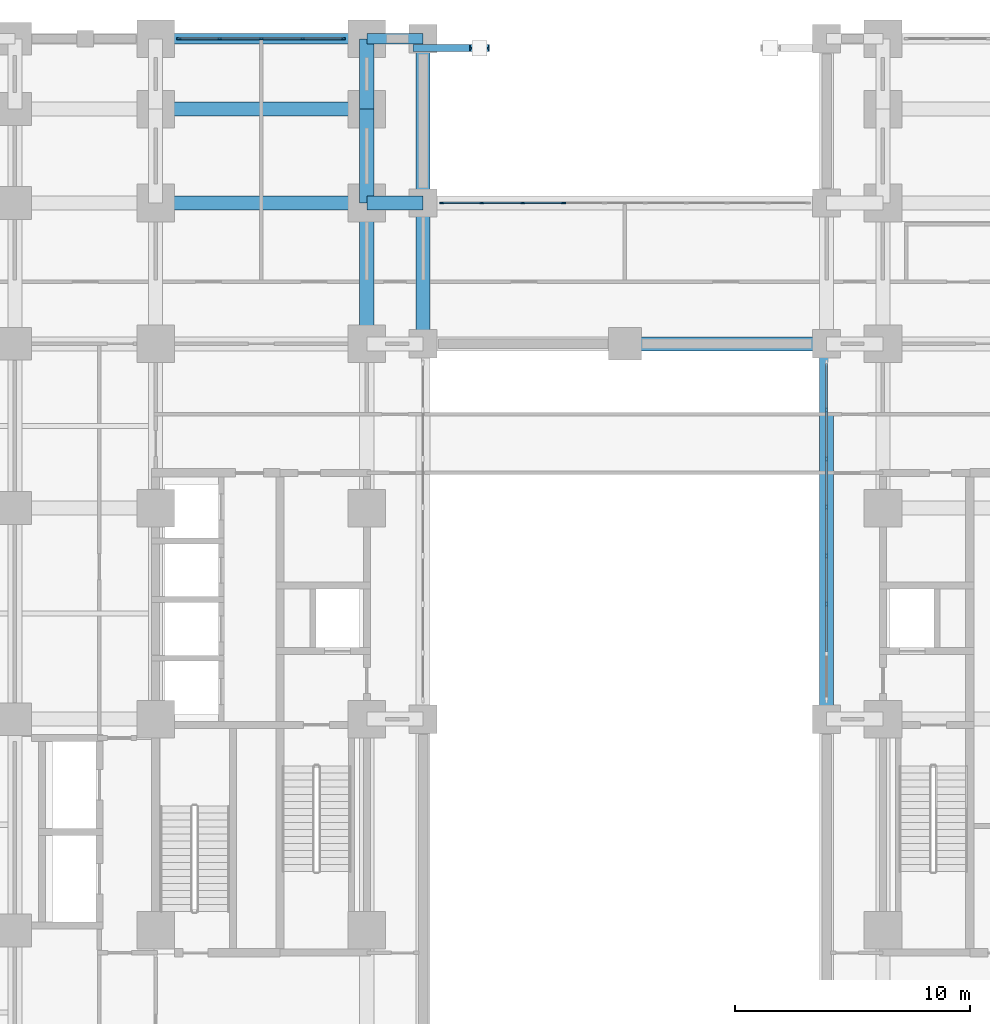
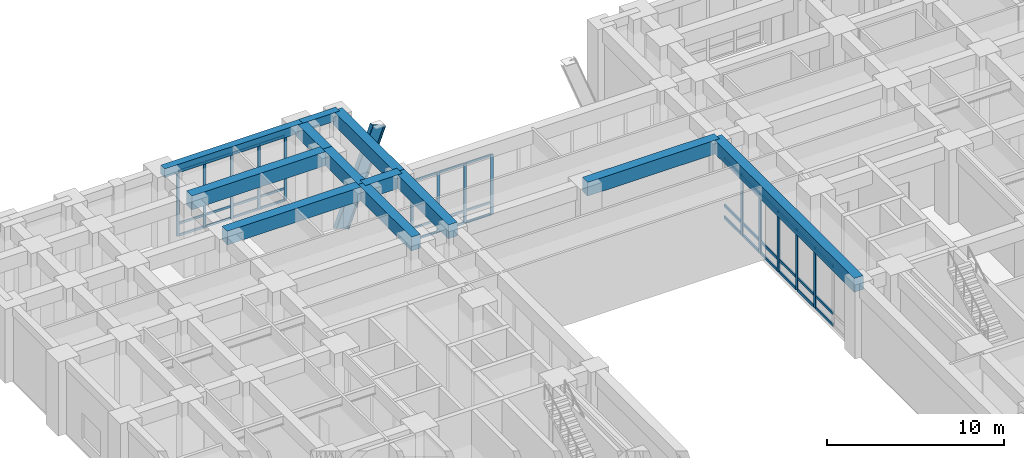
# One storey, part 5 of 23: 54 members, 12 beams, 3 elements without a shape of their own.
"""IFC4 building model written with IfcOpenShell, lengths in metres."""

import ifcopenshell
import ifcopenshell.guid

model = None  # the IFC model being written
_history = None  # IfcOwnerHistory: only IFC2X3 demands one
_inside = {}  # id of a spatial element -> (the spatial element, [elements in it])
_under = {}  # id of a project, library or spatial element -> (it, [spatial elements below it])
_declared = {}  # id of a project -> (the project, [libraries it declares])
_typed = {}  # id of a type object -> (the type object, [elements of that type])
_made_of = {}  # id of a material, layer set ... -> (it, [elements and type objects made of it])


def new_model(schema):
    """Start an empty IFC model of exactly this schema.

    Asked for "IFC4X3", IfcOpenShell would pick the latest addendum, in which some entities
    have other attributes; the version numbers below select the first issue.
    IFC2X3 requires an IfcOwnerHistory on every rooted entity: one is made here for all.
    """
    global model, _history
    if schema == "IFC4X3":
        model = ifcopenshell.file(schema_version=(4, 3, 0, 0))
    else:
        model = ifcopenshell.file(schema=schema)
    _inside.clear()
    _under.clear()
    _declared.clear()
    _typed.clear()
    _made_of.clear()
    _history = None
    if model.schema == "IFC2X3":
        org = make("IfcOrganization", Name="unknown")
        user = make(
            "IfcPersonAndOrganization",
            ThePerson=make("IfcPerson", FamilyName="unknown"),
            TheOrganization=org,
        )
        app = make(
            "IfcApplication",
            ApplicationDeveloper=org,
            Version="unknown",
            ApplicationFullName="unknown",
            ApplicationIdentifier="unknown",
        )
        _history = make(
            "IfcOwnerHistory",
            OwningUser=user,
            OwningApplication=app,
            ChangeAction="ADDED",
            CreationDate=0,
        )
    return model


def make(cls, **values):
    """One entity of the class cls with the attributes given. An attribute that is None is left unset."""
    return model.create_entity(
        cls, **{name: value for name, value in values.items() if value is not None}
    )


def rooted(cls, **values):
    """An entity with a GlobalId (a new one), such as an element, a storey or a relation."""
    return make(cls, GlobalId=ifcopenshell.guid.new(), OwnerHistory=_history, **values)


def si_unit(unit_type, name, prefix=None):
    """IfcSIUnit, for example si_unit("LENGTHUNIT", "METRE", prefix="MILLI")."""
    return make("IfcSIUnit", UnitType=unit_type, Prefix=prefix, Name=name)


def assignment(units):
    """IfcUnitAssignment: the units of a project."""
    return None if units is None else make("IfcUnitAssignment", Units=units)


def point(xyz):
    """IfcCartesianPoint."""
    return None if xyz is None else make("IfcCartesianPoint", Coordinates=xyz)


def direction(xyz):
    """IfcDirection."""
    return None if xyz is None else make("IfcDirection", DirectionRatios=xyz)


def frame(location, z_axis=None, x_axis=None):
    """IfcAxis2Placement3D, a coordinate frame: its origin and axes. An axis left out is left unset."""
    return make(
        "IfcAxis2Placement3D",
        Location=point(location),
        Axis=direction(z_axis),
        RefDirection=direction(x_axis),
    )


def frame_2d(location, x_axis=None):
    """IfcAxis2Placement2D, a coordinate frame in the plane: its origin and x axis."""
    return make(
        "IfcAxis2Placement2D", Location=point(location), RefDirection=direction(x_axis)
    )


def origin():
    """The frame at (0, 0, 0) with its axes left unset."""
    return frame((0.0, 0.0, 0.0))


def origin_2d():
    """The frame at (0, 0) in the plane with its x axis left unset."""
    return frame_2d((0.0, 0.0))


def place(relative_to, where):
    """IfcLocalPlacement: puts the frame where relative to a parent placement (None: the world)."""
    return make(
        "IfcLocalPlacement", PlacementRelTo=relative_to, RelativePlacement=where
    )


def context(
    kind, dimensions, precision=None, world=None, true_north=None, identifier=None
):
    """IfcGeometricRepresentationContext, for example the 3D "Model" context."""
    return make(
        "IfcGeometricRepresentationContext",
        ContextIdentifier=identifier,
        ContextType=kind,
        CoordinateSpaceDimension=dimensions,
        Precision=precision,
        WorldCoordinateSystem=world,
        TrueNorth=true_north,
    )


def subcontext(parent, identifier, kind, view, scale=None):
    """IfcGeometricRepresentationSubContext, for example "Body" below "Model"."""
    return make(
        "IfcGeometricRepresentationSubContext",
        ContextIdentifier=identifier,
        ContextType=kind,
        ParentContext=parent,
        TargetScale=scale,
        TargetView=view,
    )


def project(units=None, contexts=None):
    """IfcProject with its units and contexts."""
    return rooted(
        "IfcProject",
        Name="project",
        RepresentationContexts=contexts,
        UnitsInContext=assignment(units),
    )


def spatial(cls, under=None, at=None, **own):
    """A site, building, storey or space (cls), placed at a placement, below another one or the project."""
    s = rooted(cls, ObjectPlacement=at, **own)
    if under is not None:
        _under.setdefault(under.id(), (under, []))[1].append(s)
    return s


def profile(cls, at=None, kind="AREA", **sizes):
    """A parametric profile (cls). Its sizes go by their IFC names, for example OverallWidth=200.0."""
    return make(cls, ProfileType=kind, Position=at, **sizes)


def rectangle(**sizes):
    """IfcRectangleProfileDef."""
    return profile("IfcRectangleProfileDef", **sizes)


def i_section(**sizes):
    """IfcIShapeProfileDef."""
    return profile("IfcIShapeProfileDef", **sizes)


def extrude(swept, where, along, depth):
    """IfcExtrudedAreaSolid: the profile swept, set in the frame where, extruded along a direction by depth."""
    return make(
        "IfcExtrudedAreaSolid",
        SweptArea=swept,
        Position=where,
        ExtrudedDirection=direction(along),
        Depth=depth,
    )


def shape(context_of_items, identifier, shape_type, items):
    """IfcShapeRepresentation: the items that make up one representation, for example the "Body"."""
    return make(
        "IfcShapeRepresentation",
        ContextOfItems=context_of_items,
        RepresentationIdentifier=identifier,
        RepresentationType=shape_type,
        Items=items,
    )


def material(Name=None, Category=None):
    """IfcMaterial."""
    return make("IfcMaterial", Name=Name, Category=Category)


def material_profile(
    of_material, cross_section, Name=None, Category=None, Priority=None
):
    """IfcMaterialProfile: a cross section and its material."""
    return make(
        "IfcMaterialProfile",
        Name=Name,
        Material=of_material,
        Profile=cross_section,
        Priority=Priority,
        Category=Category,
    )


def profile_set(profiles, Name=None, composite=None):
    """IfcMaterialProfileSet."""
    return make(
        "IfcMaterialProfileSet",
        Name=Name,
        MaterialProfiles=profiles,
        CompositeProfile=composite,
    )


def made_of(thing, what):
    """Note that an element or type object is made of a material, layer set ...; save() writes the relation."""
    if what is not None:
        _made_of.setdefault(what.id(), (what, []))[1].append(thing)
    return thing


def type_object(cls, material=None, **own):
    """A type object (cls), such as IfcWallType, which elements share."""
    return made_of(rooted(cls, **own), material)


def element(
    cls,
    number,
    at=None,
    inside=None,
    cuts=None,
    type_object=None,
    material=None,
    context=None,
    identifier="Body",
    shape_type=None,
    held_by="IfcProductDefinitionShape",
    body=None,
    shapes=None,
    **own,
):
    """One element of the class cls, such as IfcWall. Its Tag is "e" and its number.

    at: its placement. inside: the storey or other place that contains it. cuts: it is an
    opening in that element (IfcRelVoidsElement). A single representation is given by context,
    identifier, shape_type and body (its items); several are given by shapes. held_by: the class
    of the entity that holds the representations. save() writes the other relations.
    """
    e = rooted(cls, Tag="e%d" % number, ObjectPlacement=at, **own)
    if body is not None:
        shapes = [shape(context, identifier, shape_type, body)]
    if shapes is not None:
        e.Representation = make(held_by, Representations=shapes)
    if inside is not None:
        _inside.setdefault(inside.id(), (inside, []))[1].append(e)
    if cuts is not None:
        rooted(
            "IfcRelVoidsElement", RelatingBuildingElement=cuts, RelatedOpeningElement=e
        )
    if type_object is not None:
        _typed.setdefault(type_object.id(), (type_object, []))[1].append(e)
    return made_of(e, material)


def aggregate(whole, parts):
    """IfcRelAggregates: a whole, such as a stair, and the parts it consists of."""
    return rooted("IfcRelAggregates", RelatingObject=whole, RelatedObjects=parts)


def save(model, path):
    """Write the relations noted so far, then the file.

    IfcRelAggregates (storeys below a building ...), IfcRelContainedInSpatialStructure (elements
    in a storey), IfcRelDefinesByType, IfcRelAssociatesMaterial and IfcRelDeclares: one each for
    every whole, place, type object, material and project.
    """
    for whole, parts in _under.values():
        aggregate(whole, parts)
    for where, things in _inside.values():
        rooted(
            "IfcRelContainedInSpatialStructure",
            RelatedElements=things,
            RelatingStructure=where,
        )
    for kind, things in _typed.values():
        rooted("IfcRelDefinesByType", RelatedObjects=things, RelatingType=kind)
    for what, things in _made_of.values():
        rooted("IfcRelAssociatesMaterial", RelatedObjects=things, RelatingMaterial=what)
    for by, libraries in _declared.values():
        rooted("IfcRelDeclares", RelatingContext=by, RelatedDefinitions=libraries)
    model.write(path)


model = new_model("IFC4")

# Units and contexts
model_context = context("Model", 3, precision=1e-05, world=origin(), true_north=direction((0.0, 1.0)))
body_context = subcontext(model_context, "Body", "Model", "MODEL_VIEW")
ifc_project = project(units=[si_unit("LENGTHUNIT", "METRE"), si_unit("AREAUNIT", "SQUARE_METRE"), si_unit("VOLUMEUNIT", "CUBIC_METRE"), si_unit("PLANEANGLEUNIT", "RADIAN"), si_unit("MASSUNIT", "GRAM", prefix="KILO")], contexts=[model_context])

# Site, building, storey
site_placement = place(None, origin())
site = spatial("IfcSite", under=ifc_project, at=site_placement, CompositionType="ELEMENT")
building_placement = place(site_placement, origin())
building = spatial("IfcBuilding", under=site, at=building_placement, Name="Zulmaris Gate Convention Tower", CompositionType="ELEMENT")
storey_placement = place(building_placement, frame((0.0, 0.0, 10.8798828125)))
storey = spatial("IfcBuildingStorey", under=building, at=storey_placement, Name="L02", CompositionType="ELEMENT", Elevation=10.8798828125)

# Beams
ifc_material_1 = material(Name="Concrete C60/75", Category="concrete")
ifc_material_profile_1 = material_profile(ifc_material_1, rectangle(XDim=0.60009765625, YDim=0.949951171875, at=origin_2d()), Name="RC BEAM 600x950")
ifc_profile_set_1 = profile_set([ifc_material_profile_1], Name="Concrete C60/75")
beam_type_1 = type_object("IfcBeamType", Name="BM-RC600x950", PredefinedType="BEAM", material=ifc_profile_set_1)
beam_1_placement = place(storey_placement, frame((0.0, 16.0, 4.615234375), z_axis=(1.0, 0.0, 0.0), x_axis=(0.0, 1.0, 0.0)))
element("IfcBeam", 1, at=beam_1_placement, inside=storey, type_object=beam_type_1, Name="L02 Beam BM-L02-X-+16.0-+0.0", PredefinedType="BEAM", context=body_context, shape_type="SweptSolid", body=[
    extrude(rectangle(XDim=0.60009765625, YDim=0.949951171875, at=origin_2d()), origin(), (0.0, 0.0, 1.0), 8.60009765625),
])
beam_2_placement = place(storey_placement, frame((-20.0, 22.0, 4.615234375), z_axis=(1.0, 0.0, 0.0), x_axis=(0.0, 1.0, 0.0)))
element("IfcBeam", 2, at=beam_2_placement, inside=storey, type_object=beam_type_1, Name="L02 Beam BM-L02-X-+22.0--20.0", PredefinedType="BEAM", context=body_context, shape_type="SweptSolid", body=[
    extrude(rectangle(XDim=0.60009765625, YDim=0.949951171875, at=origin_2d()), origin(), (0.0, 0.0, 1.0), 9.0),
])
beam_3_placement = place(storey_placement, frame((-11.0, 22.0, 4.615234375), z_axis=(1.0, 0.0, 0.0), x_axis=(0.0, 1.0, 0.0)))
element("IfcBeam", 3, at=beam_3_placement, inside=storey, type_object=beam_type_1, Name="L02 Beam BM-L02-X-+22.0--11.0", PredefinedType="BEAM", context=body_context, shape_type="SweptSolid", body=[
    extrude(rectangle(XDim=0.60009765625, YDim=0.949951171875, at=origin_2d()), origin(), (0.0, 0.0, 1.0), 2.39990234375),
])
beam_4_placement = place(storey_placement, frame((-20.0, 26.0, 4.615234375), z_axis=(1.0, 0.0, 0.0), x_axis=(0.0, 1.0, 0.0)))
element("IfcBeam", 4, at=beam_4_placement, inside=storey, type_object=beam_type_1, Name="L02 Beam BM-L02-X-+26.0--20.0", PredefinedType="BEAM", context=body_context, shape_type="SweptSolid", body=[
    extrude(rectangle(XDim=0.60009765625, YDim=0.949951171875, at=origin_2d()), origin(), (0.0, 0.0, 1.0), 9.0),
])
beam_5_placement = place(storey_placement, frame((-11.0, 16.0, 4.615234375), z_axis=(0.0, 1.0, 0.0), x_axis=(-1.0, 0.0, 0.0)))
element("IfcBeam", 5, at=beam_5_placement, inside=storey, type_object=beam_type_1, Name="L02 Beam BM-L02-Y--11.0-+16.0", PredefinedType="BEAM", context=body_context, shape_type="SweptSolid", body=[
    extrude(rectangle(XDim=0.60009765625, YDim=0.949951171875, at=origin_2d()), origin(), (0.0, 0.0, 1.0), 6.0),
])
beam_6_placement = place(storey_placement, frame((-11.0, 22.0, 4.615234375), z_axis=(0.0, 1.0, 0.0), x_axis=(-1.0, 0.0, 0.0)))
element("IfcBeam", 6, at=beam_6_placement, inside=storey, type_object=beam_type_1, Name="L02 Beam BM-L02-Y--11.0-+22.0", PredefinedType="BEAM", context=body_context, shape_type="SweptSolid", body=[
    extrude(rectangle(XDim=0.60009765625, YDim=0.949951171875, at=origin_2d()), origin(), (0.0, 0.0, 1.0), 4.0),
])
beam_7_placement = place(storey_placement, frame((-11.0, 26.0, 4.615234375), z_axis=(0.0, 1.0, 0.0), x_axis=(-1.0, 0.0, 0.0)))
element("IfcBeam", 7, at=beam_7_placement, inside=storey, type_object=beam_type_1, Name="L02 Beam BM-L02-Y--11.0-+26.0", PredefinedType="BEAM", context=body_context, shape_type="SweptSolid", body=[
    extrude(rectangle(XDim=0.60009765625, YDim=0.949951171875, at=origin_2d()), origin(), (0.0, 0.0, 1.0), 3.0),
])
beam_8_placement = place(storey_placement, frame((-8.60009765625, 16.0, 4.615234375), z_axis=(0.0, 1.0, 0.0), x_axis=(-1.0, 0.0, 0.0)))
element("IfcBeam", 8, at=beam_8_placement, inside=storey, type_object=beam_type_1, Name="L02 Beam BM-L02-Y--8.6-+16.0", PredefinedType="BEAM", context=body_context, shape_type="SweptSolid", body=[
    extrude(rectangle(XDim=0.60009765625, YDim=0.949951171875, at=origin_2d()), origin(), (0.0, 0.0, 1.0), 6.0),
])
beam_9_placement = place(storey_placement, frame((-8.60009765625, 22.0, 4.615234375), z_axis=(0.0, 1.0, 0.0), x_axis=(-1.0, 0.0, 0.0)))
element("IfcBeam", 9, at=beam_9_placement, inside=storey, type_object=beam_type_1, Name="L02 Beam BM-L02-Y--8.6-+22.0", PredefinedType="BEAM", context=body_context, shape_type="SweptSolid", body=[
    extrude(rectangle(XDim=0.60009765625, YDim=0.949951171875, at=origin_2d()), origin(), (0.0, 0.0, 1.0), 7.0),
])
beam_10_placement = place(storey_placement, frame((8.60009765625, 0.0, 4.615234375), z_axis=(0.0, 1.0, 0.0), x_axis=(-1.0, 0.0, 0.0)))
element("IfcBeam", 10, at=beam_10_placement, inside=storey, type_object=beam_type_1, Name="L02 Beam BM-L02-Y-+8.6-+0.0", PredefinedType="BEAM", context=body_context, shape_type="SweptSolid", body=[
    extrude(rectangle(XDim=0.60009765625, YDim=0.949951171875, at=origin_2d()), origin(), (0.0, 0.0, 1.0), 16.0),
])
ifc_material_2 = material(Name="Precast concrete C50/60", Category="concrete")
ifc_material_profile_2 = material_profile(ifc_material_2, rectangle(XDim=0.449951171875, YDim=0.60009765625, at=origin_2d()), Name="RC SPANDREL 450x600")
ifc_profile_set_2 = profile_set([ifc_material_profile_2], Name="Precast concrete C50/60")
beam_type_2 = type_object("IfcBeamType", Name="BM-SP450x600", PredefinedType="SPANDREL", material=ifc_profile_set_2)
beam_11_placement = place(storey_placement, frame((-20.0, 29.0, 4.790283203125), z_axis=(1.0, 0.0, 0.0), x_axis=(0.0, 1.0, 0.0)))
element("IfcBeam", 11, at=beam_11_placement, inside=storey, type_object=beam_type_2, Name="L02 Spandrel BM-L02-X-+29.0--20.0", PredefinedType="SPANDREL", context=body_context, shape_type="SweptSolid", body=[
    extrude(rectangle(XDim=0.449951171875, YDim=0.60009765625, at=origin_2d()), origin(), (0.0, 0.0, 1.0), 9.0),
])
beam_12_placement = place(storey_placement, frame((-11.0, 29.0, 4.790283203125), z_axis=(1.0, 0.0, 0.0), x_axis=(0.0, 1.0, 0.0)))
element("IfcBeam", 12, at=beam_12_placement, inside=storey, type_object=beam_type_2, Name="L02 Spandrel BM-L02-X-+29.0--11.0", PredefinedType="SPANDREL", context=body_context, shape_type="SweptSolid", body=[
    extrude(rectangle(XDim=0.449951171875, YDim=0.60009765625, at=origin_2d()), origin(), (0.0, 0.0, 1.0), 2.39990234375),
])

# Member
ifc_material_3 = material(Name="Steel S460", Category="steel")
ifc_material_profile_3 = material_profile(ifc_material_3, i_section(OverallWidth=0.302001953125, OverallDepth=0.909912109375, WebThickness=0.02099609375, FlangeThickness=0.0400390625, FilletRadius=0.030029296875, at=origin_2d()), Name="HEM 900")
ifc_profile_set_3 = profile_set([ifc_material_profile_3], Name="Steel S460")
member_type_1 = type_object("IfcMemberType", Name="CH-HEM900", PredefinedType="CHORD", material=ifc_profile_set_3)
member_1_placement = place(storey_placement, frame((-8.60009765625, 28.60009765625, -2.8798828125), z_axis=(0.356011892382, 0.0, 0.934481424365), x_axis=(0.0, 1.0, 0.0)))
element("IfcMember", 13, at=member_1_placement, inside=storey, type_object=member_type_1, Name="Pishtaq Arch Rib N-1", PredefinedType="CHORD", context=body_context, shape_type="SweptSolid", body=[
    extrude(i_section(OverallWidth=0.302001953125, OverallDepth=0.909912109375, WebThickness=0.02099609375, FlangeThickness=0.0400390625, FilletRadius=0.030029296875, at=origin_2d()), origin(), (0.0, 0.0, 1.0), 6.74169921875),
])

# Curtain wall, members
ifc_material_4 = material(Name="Anodised Aluminium", Category="aluminium")
curtain_wall_type_1 = type_object("IfcCurtainWallType", Name="CW-02", PredefinedType="NOTDEFINED", material=ifc_material_4)
curtain_wall_1_placement = place(storey_placement, origin())
curtain_wall_1 = element("IfcCurtainWall", 14, at=curtain_wall_1_placement, inside=storey, type_object=curtain_wall_type_1, Name="CW-02 CW02-L02-EL_0", PredefinedType="NOTDEFINED")
ifc_material_profile_4 = material_profile(ifc_material_4, rectangle(XDim=0.090087890625, YDim=0.219970703125, at=origin_2d()), Name="ALU MULLION 90x220")
ifc_profile_set_4 = profile_set([ifc_material_profile_4], Name="Anodised Aluminium")
member_type_2 = type_object("IfcMemberType", Name="CW-02-MULL", PredefinedType="MULLION", material=ifc_profile_set_4)
member_2_placement = place(storey_placement, frame((8.60009765625, 13.17138671875, 0.0), z_axis=(0.0, 0.0, 1.0), x_axis=(1.0, 0.0, 0.0)))
member_2 = element("IfcMember", 15, at=member_2_placement, type_object=member_type_2, Name="CW-02 mullion 2", PredefinedType="MULLION", context=body_context, shape_type="SweptSolid", body=[
    extrude(rectangle(XDim=0.090087890625, YDim=0.219970703125, at=origin_2d()), origin(), (0.0, 0.0, 1.0), 4.13232421875),
])
member_3_placement = place(storey_placement, frame((8.60009765625, 11.102783203125, 0.0), z_axis=(0.0, 0.0, 1.0), x_axis=(1.0, 0.0, 0.0)))
member_3 = element("IfcMember", 16, at=member_3_placement, type_object=member_type_2, Name="CW-02 mullion 3", PredefinedType="MULLION", context=body_context, shape_type="SweptSolid", body=[
    extrude(rectangle(XDim=0.090087890625, YDim=0.219970703125, at=origin_2d()), origin(), (0.0, 0.0, 1.0), 4.13232421875),
])
member_4_placement = place(storey_placement, frame((8.60009765625, 9.0341796875, 0.0), z_axis=(0.0, 0.0, 1.0), x_axis=(1.0, 0.0, 0.0)))
member_4 = element("IfcMember", 17, at=member_4_placement, type_object=member_type_2, Name="CW-02 mullion 4", PredefinedType="MULLION", context=body_context, shape_type="SweptSolid", body=[
    extrude(rectangle(XDim=0.090087890625, YDim=0.219970703125, at=origin_2d()), origin(), (0.0, 0.0, 1.0), 4.13232421875),
])
member_5_placement = place(storey_placement, frame((8.60009765625, 6.9658203125, 0.0), z_axis=(0.0, 0.0, 1.0), x_axis=(1.0, 0.0, 0.0)))
member_5 = element("IfcMember", 18, at=member_5_placement, type_object=member_type_2, Name="CW-02 mullion 5", PredefinedType="MULLION", context=body_context, shape_type="SweptSolid", body=[
    extrude(rectangle(XDim=0.090087890625, YDim=0.219970703125, at=origin_2d()), origin(), (0.0, 0.0, 1.0), 4.13232421875),
])
member_6_placement = place(storey_placement, frame((8.60009765625, 4.897216796875, 0.0), z_axis=(0.0, 0.0, 1.0), x_axis=(1.0, 0.0, 0.0)))
member_6 = element("IfcMember", 19, at=member_6_placement, type_object=member_type_2, Name="CW-02 mullion 6", PredefinedType="MULLION", context=body_context, shape_type="SweptSolid", body=[
    extrude(rectangle(XDim=0.090087890625, YDim=0.219970703125, at=origin_2d()), origin(), (0.0, 0.0, 1.0), 4.13232421875),
])
ifc_material_profile_5 = material_profile(ifc_material_4, rectangle(XDim=0.090087890625, YDim=0.179931640625, at=origin_2d()), Name="ALU TRANSOM 90x180")
ifc_profile_set_5 = profile_set([ifc_material_profile_5], Name="Anodised Aluminium")
member_type_3 = type_object("IfcMemberType", Name="CW-02-TRAN", PredefinedType="USERDEFINED", material=ifc_profile_set_5)
member_7_placement = place(storey_placement, frame((8.60009765625, 15.14990234375, 0.044921875), z_axis=(0.0, -1.0, 0.0), x_axis=(1.0, 0.0, 0.0)))
member_7 = element("IfcMember", 20, at=member_7_placement, type_object=member_type_3, Name="CW-02 transom 1.1", ObjectType="TRANSOM", PredefinedType="USERDEFINED", context=body_context, shape_type="SweptSolid", body=[
    extrude(rectangle(XDim=0.090087890625, YDim=0.179931640625, at=origin_2d()), origin(), (0.0, 0.0, 1.0), 1.93359375),
])
member_8_placement = place(storey_placement, frame((8.60009765625, 15.14990234375, 0.85009765625), z_axis=(0.0, -1.0, 0.0), x_axis=(1.0, 0.0, 0.0)))
member_8 = element("IfcMember", 21, at=member_8_placement, type_object=member_type_3, Name="CW-02 transom 1.2", ObjectType="TRANSOM", PredefinedType="USERDEFINED", context=body_context, shape_type="SweptSolid", body=[
    extrude(rectangle(XDim=0.090087890625, YDim=0.179931640625, at=origin_2d()), origin(), (0.0, 0.0, 1.0), 1.93359375),
])
member_9_placement = place(storey_placement, frame((8.60009765625, 15.14990234375, 4.087158203125), z_axis=(0.0, -1.0, 0.0), x_axis=(1.0, 0.0, 0.0)))
member_9 = element("IfcMember", 22, at=member_9_placement, type_object=member_type_3, Name="CW-02 transom 1.3", ObjectType="TRANSOM", PredefinedType="USERDEFINED", context=body_context, shape_type="SweptSolid", body=[
    extrude(rectangle(XDim=0.090087890625, YDim=0.179931640625, at=origin_2d()), origin(), (0.0, 0.0, 1.0), 1.93359375),
])
member_10_placement = place(storey_placement, frame((8.60009765625, 13.12646484375, 0.044921875), z_axis=(0.0, -1.0, 0.0), x_axis=(1.0, 0.0, 0.0)))
member_10 = element("IfcMember", 23, at=member_10_placement, type_object=member_type_3, Name="CW-02 transom 2.1", ObjectType="TRANSOM", PredefinedType="USERDEFINED", context=body_context, shape_type="SweptSolid", body=[
    extrude(rectangle(XDim=0.090087890625, YDim=0.179931640625, at=origin_2d()), origin(), (0.0, 0.0, 1.0), 1.978515625),
])
member_11_placement = place(storey_placement, frame((8.60009765625, 13.12646484375, 0.85009765625), z_axis=(0.0, -1.0, 0.0), x_axis=(1.0, 0.0, 0.0)))
member_11 = element("IfcMember", 24, at=member_11_placement, type_object=member_type_3, Name="CW-02 transom 2.2", ObjectType="TRANSOM", PredefinedType="USERDEFINED", context=body_context, shape_type="SweptSolid", body=[
    extrude(rectangle(XDim=0.090087890625, YDim=0.179931640625, at=origin_2d()), origin(), (0.0, 0.0, 1.0), 1.978515625),
])
member_12_placement = place(storey_placement, frame((8.60009765625, 13.12646484375, 4.087158203125), z_axis=(0.0, -1.0, 0.0), x_axis=(1.0, 0.0, 0.0)))
member_12 = element("IfcMember", 25, at=member_12_placement, type_object=member_type_3, Name="CW-02 transom 2.3", ObjectType="TRANSOM", PredefinedType="USERDEFINED", context=body_context, shape_type="SweptSolid", body=[
    extrude(rectangle(XDim=0.090087890625, YDim=0.179931640625, at=origin_2d()), origin(), (0.0, 0.0, 1.0), 1.978515625),
])
member_13_placement = place(storey_placement, frame((8.60009765625, 11.057861328125, 0.044921875), z_axis=(0.0, -1.0, 0.0), x_axis=(1.0, 0.0, 0.0)))
member_13 = element("IfcMember", 26, at=member_13_placement, type_object=member_type_3, Name="CW-02 transom 3.1", ObjectType="TRANSOM", PredefinedType="USERDEFINED", context=body_context, shape_type="SweptSolid", body=[
    extrude(rectangle(XDim=0.090087890625, YDim=0.179931640625, at=origin_2d()), origin(), (0.0, 0.0, 1.0), 1.978515625),
])
member_14_placement = place(storey_placement, frame((8.60009765625, 11.057861328125, 0.85009765625), z_axis=(0.0, -1.0, 0.0), x_axis=(1.0, 0.0, 0.0)))
member_14 = element("IfcMember", 27, at=member_14_placement, type_object=member_type_3, Name="CW-02 transom 3.2", ObjectType="TRANSOM", PredefinedType="USERDEFINED", context=body_context, shape_type="SweptSolid", body=[
    extrude(rectangle(XDim=0.090087890625, YDim=0.179931640625, at=origin_2d()), origin(), (0.0, 0.0, 1.0), 1.978515625),
])
member_15_placement = place(storey_placement, frame((8.60009765625, 11.057861328125, 4.087158203125), z_axis=(0.0, -1.0, 0.0), x_axis=(1.0, 0.0, 0.0)))
member_15 = element("IfcMember", 28, at=member_15_placement, type_object=member_type_3, Name="CW-02 transom 3.3", ObjectType="TRANSOM", PredefinedType="USERDEFINED", context=body_context, shape_type="SweptSolid", body=[
    extrude(rectangle(XDim=0.090087890625, YDim=0.179931640625, at=origin_2d()), origin(), (0.0, 0.0, 1.0), 1.978515625),
])
member_16_placement = place(storey_placement, frame((8.60009765625, 8.9892578125, 0.044921875), z_axis=(0.0, -1.0, 0.0), x_axis=(1.0, 0.0, 0.0)))
member_16 = element("IfcMember", 29, at=member_16_placement, type_object=member_type_3, Name="CW-02 transom 4.1", ObjectType="TRANSOM", PredefinedType="USERDEFINED", context=body_context, shape_type="SweptSolid", body=[
    extrude(rectangle(XDim=0.090087890625, YDim=0.179931640625, at=origin_2d()), origin(), (0.0, 0.0, 1.0), 1.978515625),
])
member_17_placement = place(storey_placement, frame((8.60009765625, 8.9892578125, 0.85009765625), z_axis=(0.0, -1.0, 0.0), x_axis=(1.0, 0.0, 0.0)))
member_17 = element("IfcMember", 30, at=member_17_placement, type_object=member_type_3, Name="CW-02 transom 4.2", ObjectType="TRANSOM", PredefinedType="USERDEFINED", context=body_context, shape_type="SweptSolid", body=[
    extrude(rectangle(XDim=0.090087890625, YDim=0.179931640625, at=origin_2d()), origin(), (0.0, 0.0, 1.0), 1.978515625),
])
member_18_placement = place(storey_placement, frame((8.60009765625, 8.9892578125, 4.087158203125), z_axis=(0.0, -1.0, 0.0), x_axis=(1.0, 0.0, 0.0)))
member_18 = element("IfcMember", 31, at=member_18_placement, type_object=member_type_3, Name="CW-02 transom 4.3", ObjectType="TRANSOM", PredefinedType="USERDEFINED", context=body_context, shape_type="SweptSolid", body=[
    extrude(rectangle(XDim=0.090087890625, YDim=0.179931640625, at=origin_2d()), origin(), (0.0, 0.0, 1.0), 1.978515625),
])
member_19_placement = place(storey_placement, frame((8.60009765625, 6.920654296875, 0.044921875), z_axis=(0.0, -1.0, 0.0), x_axis=(1.0, 0.0, 0.0)))
member_19 = element("IfcMember", 32, at=member_19_placement, type_object=member_type_3, Name="CW-02 transom 5.1", ObjectType="TRANSOM", PredefinedType="USERDEFINED", context=body_context, shape_type="SweptSolid", body=[
    extrude(rectangle(XDim=0.090087890625, YDim=0.179931640625, at=origin_2d()), origin(), (0.0, 0.0, 1.0), 1.978515625),
])
member_20_placement = place(storey_placement, frame((8.60009765625, 6.920654296875, 0.85009765625), z_axis=(0.0, -1.0, 0.0), x_axis=(1.0, 0.0, 0.0)))
member_20 = element("IfcMember", 33, at=member_20_placement, type_object=member_type_3, Name="CW-02 transom 5.2", ObjectType="TRANSOM", PredefinedType="USERDEFINED", context=body_context, shape_type="SweptSolid", body=[
    extrude(rectangle(XDim=0.090087890625, YDim=0.179931640625, at=origin_2d()), origin(), (0.0, 0.0, 1.0), 1.978515625),
])
member_21_placement = place(storey_placement, frame((8.60009765625, 6.920654296875, 4.087158203125), z_axis=(0.0, -1.0, 0.0), x_axis=(1.0, 0.0, 0.0)))
member_21 = element("IfcMember", 34, at=member_21_placement, type_object=member_type_3, Name="CW-02 transom 5.3", ObjectType="TRANSOM", PredefinedType="USERDEFINED", context=body_context, shape_type="SweptSolid", body=[
    extrude(rectangle(XDim=0.090087890625, YDim=0.179931640625, at=origin_2d()), origin(), (0.0, 0.0, 1.0), 1.978515625),
])
member_22_placement = place(storey_placement, frame((8.60009765625, 4.85205078125, 0.044921875), z_axis=(0.0, -1.0, 0.0), x_axis=(1.0, 0.0, 0.0)))
member_22 = element("IfcMember", 35, at=member_22_placement, type_object=member_type_3, Name="CW-02 transom 6.1", ObjectType="TRANSOM", PredefinedType="USERDEFINED", context=body_context, shape_type="SweptSolid", body=[
    extrude(rectangle(XDim=0.090087890625, YDim=0.179931640625, at=origin_2d()), origin(), (0.0, 0.0, 1.0), 1.978515625),
])
member_23_placement = place(storey_placement, frame((8.60009765625, 4.85205078125, 0.85009765625), z_axis=(0.0, -1.0, 0.0), x_axis=(1.0, 0.0, 0.0)))
member_23 = element("IfcMember", 36, at=member_23_placement, type_object=member_type_3, Name="CW-02 transom 6.2", ObjectType="TRANSOM", PredefinedType="USERDEFINED", context=body_context, shape_type="SweptSolid", body=[
    extrude(rectangle(XDim=0.090087890625, YDim=0.179931640625, at=origin_2d()), origin(), (0.0, 0.0, 1.0), 1.978515625),
])
member_24_placement = place(storey_placement, frame((8.60009765625, 4.85205078125, 4.087158203125), z_axis=(0.0, -1.0, 0.0), x_axis=(1.0, 0.0, 0.0)))
member_24 = element("IfcMember", 37, at=member_24_placement, type_object=member_type_3, Name="CW-02 transom 6.3", ObjectType="TRANSOM", PredefinedType="USERDEFINED", context=body_context, shape_type="SweptSolid", body=[
    extrude(rectangle(XDim=0.090087890625, YDim=0.179931640625, at=origin_2d()), origin(), (0.0, 0.0, 1.0), 1.978515625),
])
aggregate(curtain_wall_1, [member_2, member_3, member_4, member_5, member_6, member_7, member_8, member_9, member_10, member_11, member_12, member_13, member_14, member_15, member_16, member_17, member_18, member_19, member_20, member_21, member_22, member_23, member_24])

curtain_wall_type_2 = type_object("IfcCurtainWallType", Name="CW-03", PredefinedType="NOTDEFINED", material=ifc_material_4)
curtain_wall_2_placement = place(storey_placement, origin())
curtain_wall_2 = element("IfcCurtainWall", 38, at=curtain_wall_2_placement, inside=storey, type_object=curtain_wall_type_2, Name="CW-03 CW03-L02-N-20_0", PredefinedType="NOTDEFINED")
ifc_material_profile_6 = material_profile(ifc_material_4, rectangle(XDim=0.074951171875, YDim=0.179931640625, at=origin_2d()), Name="ALU MULLION 75x180")
ifc_profile_set_6 = profile_set([ifc_material_profile_6], Name="Anodised Aluminium")
member_type_4 = type_object("IfcMemberType", Name="CW-03-MULL", PredefinedType="MULLION", material=ifc_profile_set_6)
member_25_placement = place(storey_placement, frame((-11.99755859375, 29.0, 0.0), z_axis=(0.0, 0.0, 1.0), x_axis=(0.0, -1.0, 0.0)))
member_25 = element("IfcMember", 39, at=member_25_placement, type_object=member_type_4, Name="CW-03 mullion 1", PredefinedType="MULLION", context=body_context, shape_type="SweptSolid", body=[
    extrude(rectangle(XDim=0.074951171875, YDim=0.179931640625, at=origin_2d()), origin(), (0.0, 0.0, 1.0), 4.482177734375),
])
member_26_placement = place(storey_placement, frame((-13.72998046875, 29.0, 0.0), z_axis=(0.0, 0.0, 1.0), x_axis=(0.0, -1.0, 0.0)))
member_26 = element("IfcMember", 40, at=member_26_placement, type_object=member_type_4, Name="CW-03 mullion 2", PredefinedType="MULLION", context=body_context, shape_type="SweptSolid", body=[
    extrude(rectangle(XDim=0.074951171875, YDim=0.179931640625, at=origin_2d()), origin(), (0.0, 0.0, 1.0), 4.482177734375),
])
member_27_placement = place(storey_placement, frame((-15.5, 29.0, 0.0), z_axis=(0.0, 0.0, 1.0), x_axis=(0.0, -1.0, 0.0)))
member_27 = element("IfcMember", 41, at=member_27_placement, type_object=member_type_4, Name="CW-03 mullion 3", PredefinedType="MULLION", context=body_context, shape_type="SweptSolid", body=[
    extrude(rectangle(XDim=0.074951171875, YDim=0.179931640625, at=origin_2d()), origin(), (0.0, 0.0, 1.0), 4.482177734375),
])
member_28_placement = place(storey_placement, frame((-17.27001953125, 29.0, 0.0), z_axis=(0.0, 0.0, 1.0), x_axis=(0.0, -1.0, 0.0)))
member_28 = element("IfcMember", 42, at=member_28_placement, type_object=member_type_4, Name="CW-03 mullion 4", PredefinedType="MULLION", context=body_context, shape_type="SweptSolid", body=[
    extrude(rectangle(XDim=0.074951171875, YDim=0.179931640625, at=origin_2d()), origin(), (0.0, 0.0, 1.0), 4.482177734375),
])
member_29_placement = place(storey_placement, frame((-19.00244140625, 29.0, 0.0), z_axis=(0.0, 0.0, 1.0), x_axis=(0.0, -1.0, 0.0)))
member_29 = element("IfcMember", 43, at=member_29_placement, type_object=member_type_4, Name="CW-03 mullion 5", PredefinedType="MULLION", context=body_context, shape_type="SweptSolid", body=[
    extrude(rectangle(XDim=0.074951171875, YDim=0.179931640625, at=origin_2d()), origin(), (0.0, 0.0, 1.0), 4.482177734375),
])

curtain_wall_3_placement = place(storey_placement, origin())
curtain_wall_3 = element("IfcCurtainWall", 44, at=curtain_wall_3_placement, inside=storey, type_object=curtain_wall_type_2, Name="CW-03 CW03-L02-NARCH_0", PredefinedType="NOTDEFINED")
member_30_placement = place(storey_placement, frame((-2.61328125, 22.0, 0.0), z_axis=(0.0, 0.0, 1.0), x_axis=(0.0, -1.0, 0.0)))
member_30 = element("IfcMember", 45, at=member_30_placement, type_object=member_type_4, Name="CW-03 mullion 7", PredefinedType="MULLION", context=body_context, shape_type="SweptSolid", body=[
    extrude(rectangle(XDim=0.074951171875, YDim=0.179931640625, at=origin_2d()), origin(), (0.0, 0.0, 1.0), 4.13232421875),
])
member_31_placement = place(storey_placement, frame((-4.35546875, 22.0, 0.0), z_axis=(0.0, 0.0, 1.0), x_axis=(0.0, -1.0, 0.0)))
member_31 = element("IfcMember", 46, at=member_31_placement, type_object=member_type_4, Name="CW-03 mullion 8", PredefinedType="MULLION", context=body_context, shape_type="SweptSolid", body=[
    extrude(rectangle(XDim=0.074951171875, YDim=0.179931640625, at=origin_2d()), origin(), (0.0, 0.0, 1.0), 4.13232421875),
])
member_32_placement = place(storey_placement, frame((-6.09765625, 22.0, 0.0), z_axis=(0.0, 0.0, 1.0), x_axis=(0.0, -1.0, 0.0)))
member_32 = element("IfcMember", 47, at=member_32_placement, type_object=member_type_4, Name="CW-03 mullion 9", PredefinedType="MULLION", context=body_context, shape_type="SweptSolid", body=[
    extrude(rectangle(XDim=0.074951171875, YDim=0.179931640625, at=origin_2d()), origin(), (0.0, 0.0, 1.0), 4.13232421875),
])
member_33_placement = place(storey_placement, frame((-7.802490234375, 22.0, 0.0), z_axis=(0.0, 0.0, 1.0), x_axis=(0.0, -1.0, 0.0)))
member_33 = element("IfcMember", 48, at=member_33_placement, type_object=member_type_4, Name="CW-03 mullion 10", PredefinedType="MULLION", context=body_context, shape_type="SweptSolid", body=[
    extrude(rectangle(XDim=0.074951171875, YDim=0.179931640625, at=origin_2d()), origin(), (0.0, 0.0, 1.0), 4.13232421875),
])

# Member
ifc_material_profile_7 = material_profile(ifc_material_4, rectangle(XDim=0.074951171875, YDim=0.14990234375, at=origin_2d()), Name="ALU TRANSOM 75x150")
ifc_profile_set_7 = profile_set([ifc_material_profile_7], Name="Anodised Aluminium")
member_type_5 = type_object("IfcMemberType", Name="CW-03-TRAN", PredefinedType="USERDEFINED", material=ifc_profile_set_7)
member_34_placement = place(storey_placement, frame((-12.034912109375, 29.0, 0.03759765625), z_axis=(-1.0, 0.0, 0.0), x_axis=(0.0, -1.0, 0.0)))
member_34 = element("IfcMember", 49, at=member_34_placement, type_object=member_type_5, Name="CW-03 transom 1.1", ObjectType="TRANSOM", PredefinedType="USERDEFINED", context=body_context, shape_type="SweptSolid", body=[
    extrude(rectangle(XDim=0.074951171875, YDim=0.14990234375, at=origin_2d()), origin(), (0.0, 0.0, 1.0), 1.657470703125),
])

member_35_placement = place(storey_placement, frame((-12.034912109375, 29.0, 0.85009765625), z_axis=(-1.0, 0.0, 0.0), x_axis=(0.0, -1.0, 0.0)))
member_35 = element("IfcMember", 50, at=member_35_placement, type_object=member_type_5, Name="CW-03 transom 1.2", ObjectType="TRANSOM", PredefinedType="USERDEFINED", context=body_context, shape_type="SweptSolid", body=[
    extrude(rectangle(XDim=0.074951171875, YDim=0.14990234375, at=origin_2d()), origin(), (0.0, 0.0, 1.0), 1.657470703125),
])

member_36_placement = place(storey_placement, frame((-12.034912109375, 29.0, 4.44482421875), z_axis=(-1.0, 0.0, 0.0), x_axis=(0.0, -1.0, 0.0)))
member_36 = element("IfcMember", 51, at=member_36_placement, type_object=member_type_5, Name="CW-03 transom 1.3", ObjectType="TRANSOM", PredefinedType="USERDEFINED", context=body_context, shape_type="SweptSolid", body=[
    extrude(rectangle(XDim=0.074951171875, YDim=0.14990234375, at=origin_2d()), origin(), (0.0, 0.0, 1.0), 1.657470703125),
])

member_37_placement = place(storey_placement, frame((-13.767578125, 29.0, 0.03759765625), z_axis=(-1.0, 0.0, 0.0), x_axis=(0.0, -1.0, 0.0)))
member_37 = element("IfcMember", 52, at=member_37_placement, type_object=member_type_5, Name="CW-03 transom 2.1", ObjectType="TRANSOM", PredefinedType="USERDEFINED", context=body_context, shape_type="SweptSolid", body=[
    extrude(rectangle(XDim=0.074951171875, YDim=0.14990234375, at=origin_2d()), origin(), (0.0, 0.0, 1.0), 1.69482421875),
])

member_38_placement = place(storey_placement, frame((-13.767578125, 29.0, 0.85009765625), z_axis=(-1.0, 0.0, 0.0), x_axis=(0.0, -1.0, 0.0)))
member_38 = element("IfcMember", 53, at=member_38_placement, type_object=member_type_5, Name="CW-03 transom 2.2", ObjectType="TRANSOM", PredefinedType="USERDEFINED", context=body_context, shape_type="SweptSolid", body=[
    extrude(rectangle(XDim=0.074951171875, YDim=0.14990234375, at=origin_2d()), origin(), (0.0, 0.0, 1.0), 1.69482421875),
])

member_39_placement = place(storey_placement, frame((-13.767578125, 29.0, 4.44482421875), z_axis=(-1.0, 0.0, 0.0), x_axis=(0.0, -1.0, 0.0)))
member_39 = element("IfcMember", 54, at=member_39_placement, type_object=member_type_5, Name="CW-03 transom 2.3", ObjectType="TRANSOM", PredefinedType="USERDEFINED", context=body_context, shape_type="SweptSolid", body=[
    extrude(rectangle(XDim=0.074951171875, YDim=0.14990234375, at=origin_2d()), origin(), (0.0, 0.0, 1.0), 1.69482421875),
])

member_40_placement = place(storey_placement, frame((-15.53759765625, 29.0, 0.03759765625), z_axis=(-1.0, 0.0, 0.0), x_axis=(0.0, -1.0, 0.0)))
member_40 = element("IfcMember", 55, at=member_40_placement, type_object=member_type_5, Name="CW-03 transom 3.1", ObjectType="TRANSOM", PredefinedType="USERDEFINED", context=body_context, shape_type="SweptSolid", body=[
    extrude(rectangle(XDim=0.074951171875, YDim=0.14990234375, at=origin_2d()), origin(), (0.0, 0.0, 1.0), 1.69482421875),
])

member_41_placement = place(storey_placement, frame((-15.53759765625, 29.0, 0.85009765625), z_axis=(-1.0, 0.0, 0.0), x_axis=(0.0, -1.0, 0.0)))
member_41 = element("IfcMember", 56, at=member_41_placement, type_object=member_type_5, Name="CW-03 transom 3.2", ObjectType="TRANSOM", PredefinedType="USERDEFINED", context=body_context, shape_type="SweptSolid", body=[
    extrude(rectangle(XDim=0.074951171875, YDim=0.14990234375, at=origin_2d()), origin(), (0.0, 0.0, 1.0), 1.69482421875),
])

member_42_placement = place(storey_placement, frame((-15.53759765625, 29.0, 4.44482421875), z_axis=(-1.0, 0.0, 0.0), x_axis=(0.0, -1.0, 0.0)))
member_42 = element("IfcMember", 57, at=member_42_placement, type_object=member_type_5, Name="CW-03 transom 3.3", ObjectType="TRANSOM", PredefinedType="USERDEFINED", context=body_context, shape_type="SweptSolid", body=[
    extrude(rectangle(XDim=0.074951171875, YDim=0.14990234375, at=origin_2d()), origin(), (0.0, 0.0, 1.0), 1.69482421875),
])

member_43_placement = place(storey_placement, frame((-17.3076171875, 29.0, 0.03759765625), z_axis=(-1.0, 0.0, 0.0), x_axis=(0.0, -1.0, 0.0)))
member_43 = element("IfcMember", 58, at=member_43_placement, type_object=member_type_5, Name="CW-03 transom 4.1", ObjectType="TRANSOM", PredefinedType="USERDEFINED", context=body_context, shape_type="SweptSolid", body=[
    extrude(rectangle(XDim=0.074951171875, YDim=0.14990234375, at=origin_2d()), origin(), (0.0, 0.0, 1.0), 1.657470703125),
])

member_44_placement = place(storey_placement, frame((-17.3076171875, 29.0, 0.85009765625), z_axis=(-1.0, 0.0, 0.0), x_axis=(0.0, -1.0, 0.0)))
member_44 = element("IfcMember", 59, at=member_44_placement, type_object=member_type_5, Name="CW-03 transom 4.2", ObjectType="TRANSOM", PredefinedType="USERDEFINED", context=body_context, shape_type="SweptSolid", body=[
    extrude(rectangle(XDim=0.074951171875, YDim=0.14990234375, at=origin_2d()), origin(), (0.0, 0.0, 1.0), 1.657470703125),
])

member_45_placement = place(storey_placement, frame((-17.3076171875, 29.0, 4.44482421875), z_axis=(-1.0, 0.0, 0.0), x_axis=(0.0, -1.0, 0.0)))
member_45 = element("IfcMember", 60, at=member_45_placement, type_object=member_type_5, Name="CW-03 transom 4.3", ObjectType="TRANSOM", PredefinedType="USERDEFINED", context=body_context, shape_type="SweptSolid", body=[
    extrude(rectangle(XDim=0.074951171875, YDim=0.14990234375, at=origin_2d()), origin(), (0.0, 0.0, 1.0), 1.657470703125),
])

aggregate(curtain_wall_2, [member_25, member_26, member_27, member_28, member_29, member_34, member_35, member_36, member_37, member_38, member_39, member_40, member_41, member_42, member_43, member_44, member_45])

member_46_placement = place(storey_placement, frame((-2.65087890625, 22.0, 0.03759765625), z_axis=(-1.0, 0.0, 0.0), x_axis=(0.0, -1.0, 0.0)))
member_46 = element("IfcMember", 61, at=member_46_placement, type_object=member_type_5, Name="CW-03 transom 7.1", ObjectType="TRANSOM", PredefinedType="USERDEFINED", context=body_context, shape_type="SweptSolid", body=[
    extrude(rectangle(XDim=0.074951171875, YDim=0.14990234375, at=origin_2d()), origin(), (0.0, 0.0, 1.0), 1.667236328125),
])

member_47_placement = place(storey_placement, frame((-2.65087890625, 22.0, 0.85009765625), z_axis=(-1.0, 0.0, 0.0), x_axis=(0.0, -1.0, 0.0)))
member_47 = element("IfcMember", 62, at=member_47_placement, type_object=member_type_5, Name="CW-03 transom 7.2", ObjectType="TRANSOM", PredefinedType="USERDEFINED", context=body_context, shape_type="SweptSolid", body=[
    extrude(rectangle(XDim=0.074951171875, YDim=0.14990234375, at=origin_2d()), origin(), (0.0, 0.0, 1.0), 1.667236328125),
])

member_48_placement = place(storey_placement, frame((-2.65087890625, 22.0, 4.0947265625), z_axis=(-1.0, 0.0, 0.0), x_axis=(0.0, -1.0, 0.0)))
member_48 = element("IfcMember", 63, at=member_48_placement, type_object=member_type_5, Name="CW-03 transom 7.3", ObjectType="TRANSOM", PredefinedType="USERDEFINED", context=body_context, shape_type="SweptSolid", body=[
    extrude(rectangle(XDim=0.074951171875, YDim=0.14990234375, at=origin_2d()), origin(), (0.0, 0.0, 1.0), 1.667236328125),
])

member_49_placement = place(storey_placement, frame((-4.39306640625, 22.0, 0.03759765625), z_axis=(-1.0, 0.0, 0.0), x_axis=(0.0, -1.0, 0.0)))
member_49 = element("IfcMember", 64, at=member_49_placement, type_object=member_type_5, Name="CW-03 transom 8.1", ObjectType="TRANSOM", PredefinedType="USERDEFINED", context=body_context, shape_type="SweptSolid", body=[
    extrude(rectangle(XDim=0.074951171875, YDim=0.14990234375, at=origin_2d()), origin(), (0.0, 0.0, 1.0), 1.667236328125),
])

member_50_placement = place(storey_placement, frame((-4.39306640625, 22.0, 0.85009765625), z_axis=(-1.0, 0.0, 0.0), x_axis=(0.0, -1.0, 0.0)))
member_50 = element("IfcMember", 65, at=member_50_placement, type_object=member_type_5, Name="CW-03 transom 8.2", ObjectType="TRANSOM", PredefinedType="USERDEFINED", context=body_context, shape_type="SweptSolid", body=[
    extrude(rectangle(XDim=0.074951171875, YDim=0.14990234375, at=origin_2d()), origin(), (0.0, 0.0, 1.0), 1.667236328125),
])

member_51_placement = place(storey_placement, frame((-4.39306640625, 22.0, 4.0947265625), z_axis=(-1.0, 0.0, 0.0), x_axis=(0.0, -1.0, 0.0)))
member_51 = element("IfcMember", 66, at=member_51_placement, type_object=member_type_5, Name="CW-03 transom 8.3", ObjectType="TRANSOM", PredefinedType="USERDEFINED", context=body_context, shape_type="SweptSolid", body=[
    extrude(rectangle(XDim=0.074951171875, YDim=0.14990234375, at=origin_2d()), origin(), (0.0, 0.0, 1.0), 1.667236328125),
])

member_52_placement = place(storey_placement, frame((-6.13525390625, 22.0, 0.03759765625), z_axis=(-1.0, 0.0, 0.0), x_axis=(0.0, -1.0, 0.0)))
member_52 = element("IfcMember", 67, at=member_52_placement, type_object=member_type_5, Name="CW-03 transom 9.1", ObjectType="TRANSOM", PredefinedType="USERDEFINED", context=body_context, shape_type="SweptSolid", body=[
    extrude(rectangle(XDim=0.074951171875, YDim=0.14990234375, at=origin_2d()), origin(), (0.0, 0.0, 1.0), 1.629638671875),
])

member_53_placement = place(storey_placement, frame((-6.13525390625, 22.0, 0.85009765625), z_axis=(-1.0, 0.0, 0.0), x_axis=(0.0, -1.0, 0.0)))
member_53 = element("IfcMember", 68, at=member_53_placement, type_object=member_type_5, Name="CW-03 transom 9.2", ObjectType="TRANSOM", PredefinedType="USERDEFINED", context=body_context, shape_type="SweptSolid", body=[
    extrude(rectangle(XDim=0.074951171875, YDim=0.14990234375, at=origin_2d()), origin(), (0.0, 0.0, 1.0), 1.629638671875),
])

member_54_placement = place(storey_placement, frame((-6.13525390625, 22.0, 4.0947265625), z_axis=(-1.0, 0.0, 0.0), x_axis=(0.0, -1.0, 0.0)))
member_54 = element("IfcMember", 69, at=member_54_placement, type_object=member_type_5, Name="CW-03 transom 9.3", ObjectType="TRANSOM", PredefinedType="USERDEFINED", context=body_context, shape_type="SweptSolid", body=[
    extrude(rectangle(XDim=0.074951171875, YDim=0.14990234375, at=origin_2d()), origin(), (0.0, 0.0, 1.0), 1.629638671875),
])

aggregate(curtain_wall_3, [member_30, member_31, member_32, member_33, member_46, member_47, member_48, member_49, member_50, member_51, member_52, member_53, member_54])

save(model, "model.ifc")
